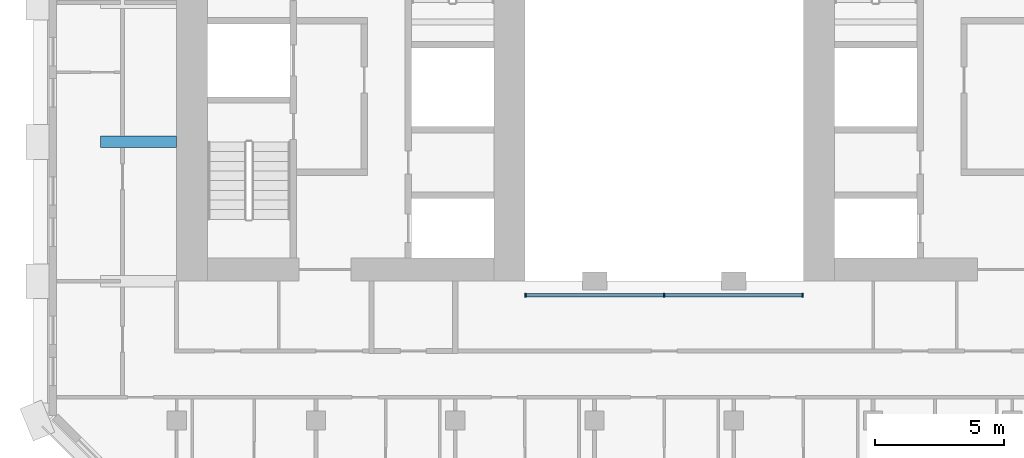
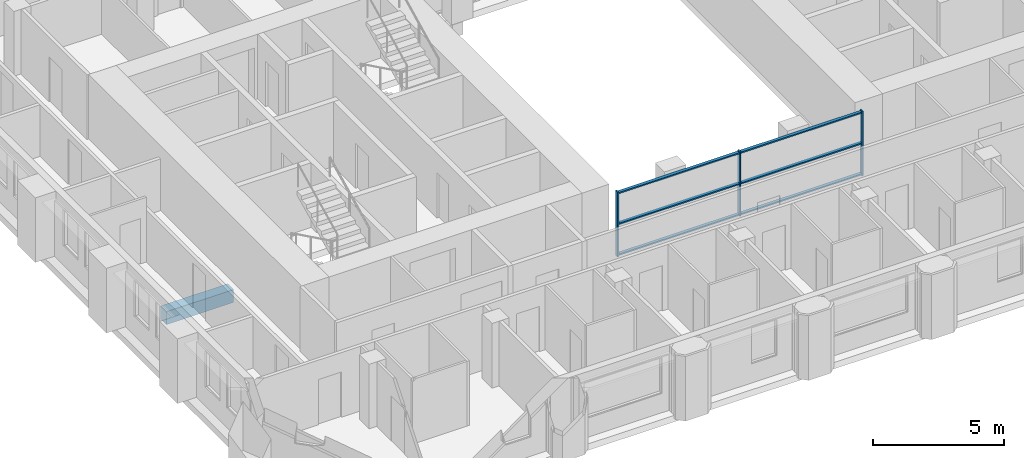
# One storey, part 2 of 13: 9 members, 1 beam, 1 element without a shape of its own.
"""IFC4 building model written with IfcOpenShell, lengths in metres."""

from ifc_helpers import new_model, si_unit, direction, frame, origin, origin_2d, place, context, subcontext, project, spatial, rectangle, extrude, material, material_profile, profile_set, type_object, element, aggregate, save


model = new_model("IFC4")

# Units and contexts
model_context = context("Model", 3, precision=1e-05, world=origin(), true_north=direction((0.0, 1.0)))
body_context = subcontext(model_context, "Body", "Model", "MODEL_VIEW")
ifc_project = project(units=[si_unit("LENGTHUNIT", "METRE"), si_unit("AREAUNIT", "SQUARE_METRE"), si_unit("VOLUMEUNIT", "CUBIC_METRE"), si_unit("PLANEANGLEUNIT", "RADIAN"), si_unit("MASSUNIT", "GRAM", prefix="KILO")], contexts=[model_context])

# Site, building, storey
site_placement = place(None, origin())
site = spatial("IfcSite", under=ifc_project, at=site_placement, CompositionType="ELEMENT")
building_placement = place(site_placement, origin())
building = spatial("IfcBuilding", under=site, at=building_placement, Name="Tabaq Tower and Sports Hall", CompositionType="ELEMENT")
storey_placement = place(building_placement, frame((0.0, 0.0, 210.39990234375)))
storey = spatial("IfcBuildingStorey", under=building, at=storey_placement, Name="L52", CompositionType="ELEMENT", Elevation=210.39990234375)

# Curtain wall, members
ifc_material_1 = material(Name="Aluminium alloy 6063-T6 framed glazing", Category="aluminium")
curtain_wall_type = type_object("IfcCurtainWallType", Name="CW1 curtain wall", PredefinedType="USERDEFINED", material=ifc_material_1)
curtain_wall_placement = place(storey_placement, origin())
curtain_wall = element("IfcCurtainWall", 1, at=curtain_wall_placement, inside=storey, type_object=curtain_wall_type, Name="Atrium glazing L52 S", ObjectType="ATRIUM ENCLOSURE", PredefinedType="USERDEFINED")
ifc_material_2 = material(Name="Aluminium alloy 6063-T6", Category="aluminium")
ifc_material_profile_1 = material_profile(ifc_material_2, rectangle(XDim=0.159912109375, YDim=0.06005859375, at=origin_2d()), Name="MULLION 160x60")
ifc_profile_set_1 = profile_set([ifc_material_profile_1], Name="Aluminium alloy 6063-T6")
member_type_1 = type_object("IfcMemberType", Name="CW1 mullion 160x60", PredefinedType="MULLION", material=ifc_profile_set_1)
member_1_placement = place(storey_placement, frame((18.929931640625, 15.64990234375, 0.0), z_axis=(0.0, 0.0, 1.0), x_axis=(0.0, 1.0, 0.0)))
member_1 = element("IfcMember", 2, at=member_1_placement, type_object=member_type_1, Name="CW1 mullion 1", PredefinedType="MULLION", context=body_context, shape_type="SweptSolid", body=[
    extrude(rectangle(XDim=0.159912109375, YDim=0.06005859375, at=origin_2d()), origin(), (0.0, 0.0, 1.0), 3.0),
])
member_2_placement = place(storey_placement, frame((24.300048828125, 15.64990234375, 0.0), z_axis=(0.0, 0.0, 1.0), x_axis=(0.0, 1.0, 0.0)))
member_2 = element("IfcMember", 3, at=member_2_placement, type_object=member_type_1, Name="CW1 mullion 2", PredefinedType="MULLION", context=body_context, shape_type="SweptSolid", body=[
    extrude(rectangle(XDim=0.159912109375, YDim=0.06005859375, at=origin_2d()), origin(), (0.0, 0.0, 1.0), 3.0),
])
member_3_placement = place(storey_placement, frame((29.669921875, 15.64990234375, 0.0), z_axis=(0.0, 0.0, 1.0), x_axis=(0.0, 1.0, 0.0)))
member_3 = element("IfcMember", 4, at=member_3_placement, type_object=member_type_1, Name="CW1 mullion 3", PredefinedType="MULLION", context=body_context, shape_type="SweptSolid", body=[
    extrude(rectangle(XDim=0.159912109375, YDim=0.06005859375, at=origin_2d()), origin(), (0.0, 0.0, 1.0), 3.0),
])
ifc_material_3 = material(Name="Aluminium alloy 6063-T6", Category="aluminium")
ifc_material_profile_2 = material_profile(ifc_material_3, rectangle(XDim=0.139892578125, YDim=0.06005859375, at=origin_2d()), Name="TRANSOM 140x60")
ifc_profile_set_2 = profile_set([ifc_material_profile_2], Name="Aluminium alloy 6063-T6")
member_type_2 = type_object("IfcMemberType", Name="CW1 transom 140x60", PredefinedType="USERDEFINED", material=ifc_profile_set_2)
member_4_placement = place(storey_placement, frame((18.9599609375, 15.64990234375, 0.070068359375), z_axis=(1.0, 0.0, 0.0), x_axis=(0.0, 1.0, 0.0)))
member_4 = element("IfcMember", 5, at=member_4_placement, type_object=member_type_2, Name="CW1 transom 1.1", ObjectType="TRANSOM", PredefinedType="USERDEFINED", context=body_context, shape_type="SweptSolid", body=[
    extrude(rectangle(XDim=0.139892578125, YDim=0.06005859375, at=origin_2d()), origin(), (0.0, 0.0, 1.0), 5.31005859375),
])
member_5_placement = place(storey_placement, frame((18.9599609375, 15.64990234375, 1.5), z_axis=(1.0, 0.0, 0.0), x_axis=(0.0, 1.0, 0.0)))
member_5 = element("IfcMember", 6, at=member_5_placement, type_object=member_type_2, Name="CW1 transom 1.2", ObjectType="TRANSOM", PredefinedType="USERDEFINED", context=body_context, shape_type="SweptSolid", body=[
    extrude(rectangle(XDim=0.139892578125, YDim=0.06005859375, at=origin_2d()), origin(), (0.0, 0.0, 1.0), 5.31005859375),
])
member_6_placement = place(storey_placement, frame((18.9599609375, 15.64990234375, 2.93017578125), z_axis=(1.0, 0.0, 0.0), x_axis=(0.0, 1.0, 0.0)))
member_6 = element("IfcMember", 7, at=member_6_placement, type_object=member_type_2, Name="CW1 transom 1.3", ObjectType="TRANSOM", PredefinedType="USERDEFINED", context=body_context, shape_type="SweptSolid", body=[
    extrude(rectangle(XDim=0.139892578125, YDim=0.06005859375, at=origin_2d()), origin(), (0.0, 0.0, 1.0), 5.31005859375),
])
member_7_placement = place(storey_placement, frame((24.330078125, 15.64990234375, 0.070068359375), z_axis=(1.0, 0.0, 0.0), x_axis=(0.0, 1.0, 0.0)))
member_7 = element("IfcMember", 8, at=member_7_placement, type_object=member_type_2, Name="CW1 transom 2.1", ObjectType="TRANSOM", PredefinedType="USERDEFINED", context=body_context, shape_type="SweptSolid", body=[
    extrude(rectangle(XDim=0.139892578125, YDim=0.06005859375, at=origin_2d()), origin(), (0.0, 0.0, 1.0), 5.309814453125),
])
member_8_placement = place(storey_placement, frame((24.330078125, 15.64990234375, 1.5), z_axis=(1.0, 0.0, 0.0), x_axis=(0.0, 1.0, 0.0)))
member_8 = element("IfcMember", 9, at=member_8_placement, type_object=member_type_2, Name="CW1 transom 2.2", ObjectType="TRANSOM", PredefinedType="USERDEFINED", context=body_context, shape_type="SweptSolid", body=[
    extrude(rectangle(XDim=0.139892578125, YDim=0.06005859375, at=origin_2d()), origin(), (0.0, 0.0, 1.0), 5.309814453125),
])
member_9_placement = place(storey_placement, frame((24.330078125, 15.64990234375, 2.93017578125), z_axis=(1.0, 0.0, 0.0), x_axis=(0.0, 1.0, 0.0)))
member_9 = element("IfcMember", 10, at=member_9_placement, type_object=member_type_2, Name="CW1 transom 2.3", ObjectType="TRANSOM", PredefinedType="USERDEFINED", context=body_context, shape_type="SweptSolid", body=[
    extrude(rectangle(XDim=0.139892578125, YDim=0.06005859375, at=origin_2d()), origin(), (0.0, 0.0, 1.0), 5.309814453125),
])
aggregate(curtain_wall, [member_1, member_2, member_3, member_4, member_5, member_6, member_7, member_8, member_9])

# Beam
ifc_material_4 = material(Name="Concrete C40/50", Category="concrete")
ifc_material_profile_3 = material_profile(ifc_material_4, rectangle(XDim=0.449951171875, YDim=0.60009765625, at=origin_2d()), Name="CB 450x600")
ifc_profile_set_3 = profile_set([ifc_material_profile_3], Name="Concrete C40/50")
beam_type = type_object("IfcBeamType", Name="PT CANTILEVER BEAM CB 450x600 C40/50", PredefinedType="BEAM", material=ifc_profile_set_3)
beam_placement = place(storey_placement, frame((2.449951171875, 21.60009765625, -0.599853515625), z_axis=(1.0, 0.0, 0.0), x_axis=(0.0, 1.0, 0.0)))
element("IfcBeam", 11, at=beam_placement, inside=storey, type_object=beam_type, Name="Cantilever Beam L52 W4 span 1", PredefinedType="BEAM", context=body_context, shape_type="SweptSolid", body=[
    extrude(rectangle(XDim=0.449951171875, YDim=0.60009765625, at=origin_2d()), origin(), (0.0, 0.0, 1.0), 2.949951171875),
])

save(model, "model.ifc")
